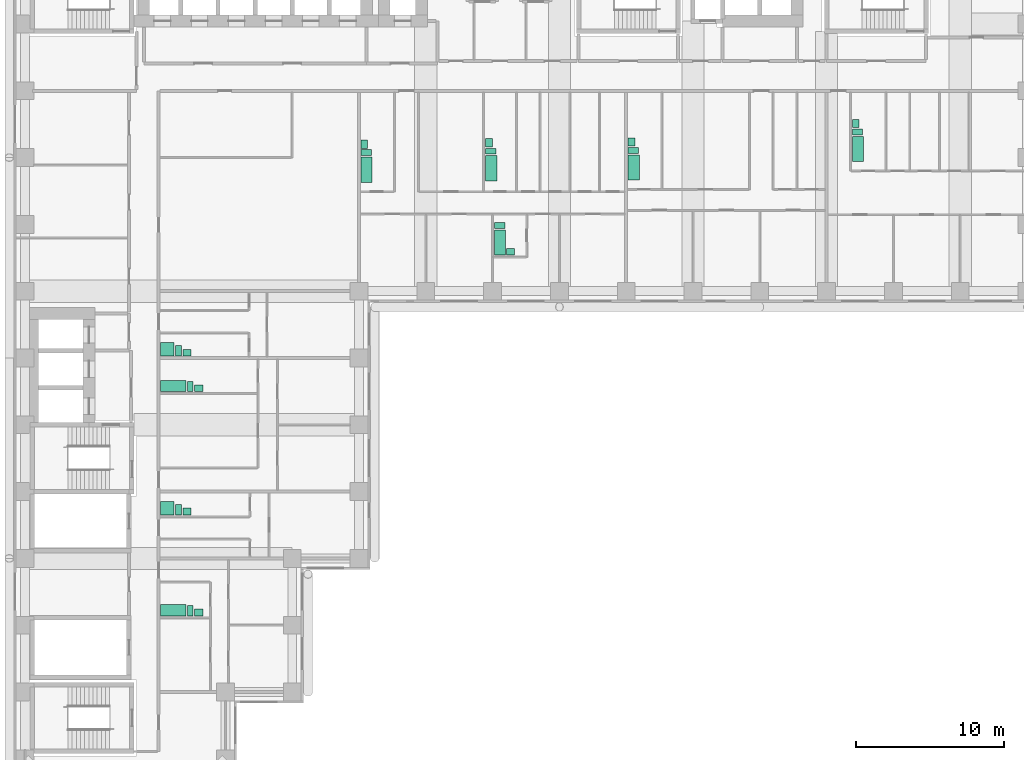
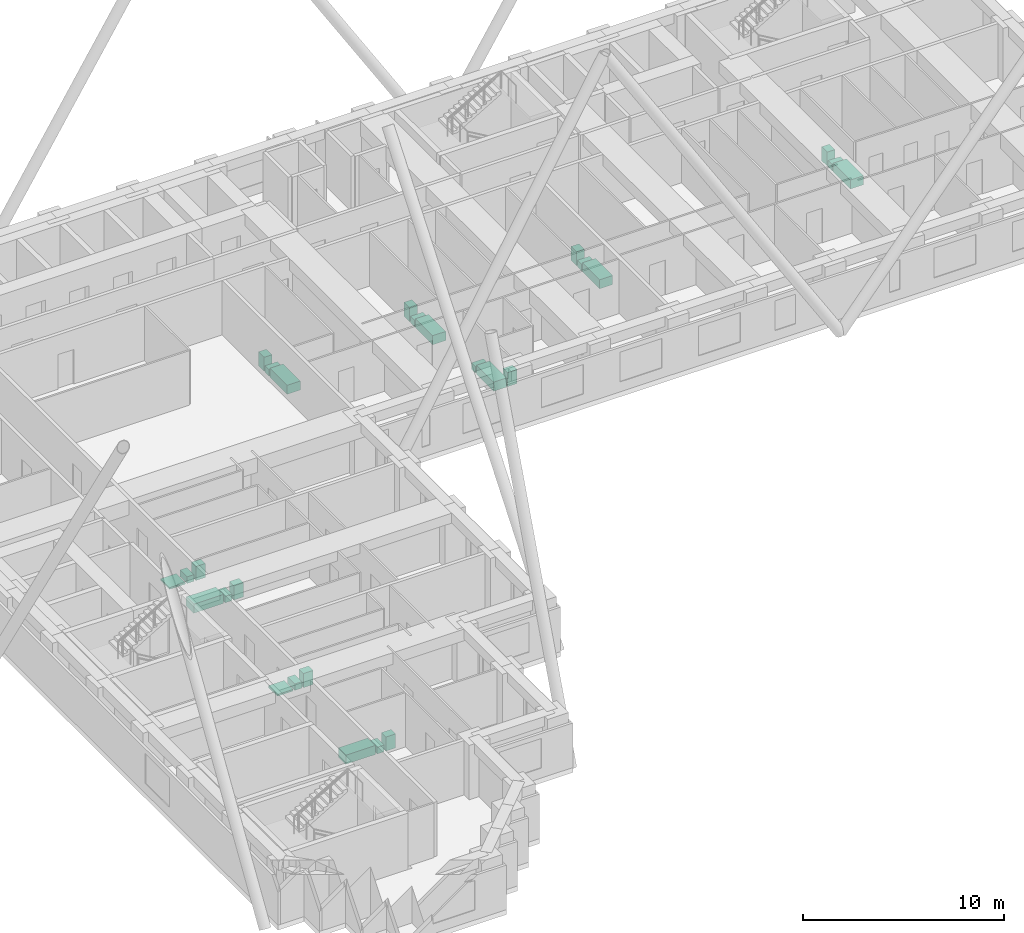
# One storey, part 13 of 13: 27 sanitary terminals.
"""IFC4 building model written with IfcOpenShell, lengths in metres."""

from ifc_helpers import new_model, si_unit, direction, frame, origin, origin_2d, place, context, subcontext, project, spatial, rectangle, extrude, material, type_object, element, save


model = new_model("IFC4")

# Units and contexts
model_context = context("Model", 3, precision=1e-05, world=origin(), true_north=direction((0.0, 1.0)))
body_context = subcontext(model_context, "Body", "Model", "MODEL_VIEW")
ifc_project = project(units=[si_unit("LENGTHUNIT", "METRE"), si_unit("AREAUNIT", "SQUARE_METRE"), si_unit("VOLUMEUNIT", "CUBIC_METRE"), si_unit("PLANEANGLEUNIT", "RADIAN"), si_unit("MASSUNIT", "GRAM", prefix="KILO")], contexts=[model_context])

# Site, building, storey
site_placement = place(None, origin())
site = spatial("IfcSite", under=ifc_project, at=site_placement, CompositionType="ELEMENT")
building_placement = place(site_placement, origin())
building = spatial("IfcBuilding", under=site, at=building_placement, Name="Firuza Court", CompositionType="ELEMENT")
storey_placement = place(building_placement, frame((0.0, 0.0, 50.60009765625)))
storey = spatial("IfcBuildingStorey", under=building, at=storey_placement, Name="L11", CompositionType="ELEMENT", Elevation=50.60009765625)

# Sanitary terminals
ifc_material_1 = material(Name="Vitreous china", Category="ceramic")
sanitary_terminal_type_1 = type_object("IfcSanitaryTerminalType", Name="Fixture Bath", PredefinedType="BATH", material=ifc_material_1)
for number, where, z_axis, x_axis, name in (
    (1, (23.0048828125, 44.179931640625, 0.0), (0.0, 0.0, 1.0), (1.0, 0.0, 0.0), "Bath"),
    (2, (31.405029296875, 44.280029296875, 0.0), (0.0, 0.0, 1.0), (1.0, 0.0, 0.0), "Bath"),
    (3, (32.0048828125, 39.280029296875, 0.0), (0.0, 0.0, 1.0), (1.0, 0.0, 0.0), "Bath"),
    (4, (41.0048828125, 44.330078125, 0.0), (0.0, 0.0, 1.0), (1.0, 0.0, 0.0), "Bath"),
    (5, (56.10498046875, 45.580078125, 0.0), (0.0, 0.0, 1.0), (1.0, 0.0, 0.0), "Bath"),
):
    element("IfcSanitaryTerminal", number, at=place(storey_placement, frame(where, z_axis=z_axis, x_axis=x_axis)), inside=storey, type_object=sanitary_terminal_type_1, Name=name, PredefinedType="BATH", context=body_context, shape_type="SweptSolid", body=[
        extrude(rectangle(XDim=0.75, YDim=1.699951171875, at=origin_2d()), origin(), (0.0, 0.0, 1.0), 0.550048828125),
    ])
for number, where, z_axis, x_axis, name in (
    (6, (9.97998046875, 29.60498046875, 0.0), (0.0, 0.0, 1.0), (1.0, 0.0, 0.0), "Bath"),
    (7, (9.97998046875, 14.5048828125, 0.0), (0.0, 0.0, 1.0), (1.0, 0.0, 0.0), "Bath"),
):
    element("IfcSanitaryTerminal", number, at=place(storey_placement, frame(where, z_axis=z_axis, x_axis=x_axis)), inside=storey, type_object=sanitary_terminal_type_1, Name=name, PredefinedType="BATH", context=body_context, shape_type="SweptSolid", body=[
        extrude(rectangle(XDim=1.699951171875, YDim=0.75, at=origin_2d()), origin(), (0.0, 0.0, 1.0), 0.550048828125),
    ])
ifc_material_2 = material(Name="Vitreous china", Category="ceramic")
sanitary_terminal_type_2 = type_object("IfcSanitaryTerminalType", Name="Fixture Shower tray", PredefinedType="SHOWER", material=ifc_material_2)
for number, where, z_axis, x_axis, name in (
    (8, (9.580078125, 32.080078125, -0.000244140625), (0.0, 0.0, 1.0), (1.0, 0.0, 0.0), "Shower tray"),
    (9, (9.580078125, 21.3798828125, -0.000244140625), (0.0, 0.0, 1.0), (1.0, 0.0, 0.0), "Shower tray"),
):
    element("IfcSanitaryTerminal", number, at=place(storey_placement, frame(where, z_axis=z_axis, x_axis=x_axis)), inside=storey, type_object=sanitary_terminal_type_2, Name=name, PredefinedType="SHOWER", context=body_context, shape_type="SweptSolid", body=[
        extrude(rectangle(XDim=0.89990234375, YDim=0.89990234375, at=origin_2d()), origin(), (0.0, 0.0, 1.0), 0.10009765625),
    ])
ifc_material_3 = material(Name="Vitreous china", Category="ceramic")
sanitary_terminal_type_3 = type_object("IfcSanitaryTerminalType", Name="Fixture WC pan", PredefinedType="TOILETPAN", material=ifc_material_3)
for number, where, z_axis, x_axis, name in (
    (10, (22.97998046875, 45.330078125, 0.0), (0.0, 0.0, 1.0), (1.0, 0.0, 0.0), "WC pan"),
    (11, (31.3798828125, 45.429931640625, 0.0), (0.0, 0.0, 1.0), (1.0, 0.0, 0.0), "WC pan"),
    (12, (31.97998046875, 40.429931640625, 0.0), (0.0, 0.0, 1.0), (1.0, 0.0, 0.0), "WC pan"),
    (13, (40.97998046875, 45.47998046875, 0.0), (0.0, 0.0, 1.0), (1.0, 0.0, 0.0), "WC pan"),
    (14, (56.080078125, 46.72998046875, 0.0), (0.0, 0.0, 1.0), (1.0, 0.0, 0.0), "WC pan"),
):
    element("IfcSanitaryTerminal", number, at=place(storey_placement, frame(where, z_axis=z_axis, x_axis=x_axis)), inside=storey, type_object=sanitary_terminal_type_3, Name=name, PredefinedType="TOILETPAN", context=body_context, shape_type="SweptSolid", body=[
        extrude(rectangle(XDim=0.699951171875, YDim=0.39990234375, at=origin_2d()), origin(), (0.0, 0.0, 1.0), 0.39990234375),
    ])
for number, where, z_axis, x_axis, name in (
    (15, (10.330078125, 31.97998046875, 0.0), (0.0, 0.0, 1.0), (1.0, 0.0, 0.0), "WC pan"),
    (16, (11.1298828125, 29.580078125, 0.0), (0.0, 0.0, 1.0), (1.0, 0.0, 0.0), "WC pan"),
    (17, (10.330078125, 21.280029296875, 0.0), (0.0, 0.0, 1.0), (1.0, 0.0, 0.0), "WC pan"),
    (18, (11.1298828125, 14.47998046875, 0.0), (0.0, 0.0, 1.0), (1.0, 0.0, 0.0), "WC pan"),
):
    element("IfcSanitaryTerminal", number, at=place(storey_placement, frame(where, z_axis=z_axis, x_axis=x_axis)), inside=storey, type_object=sanitary_terminal_type_3, Name=name, PredefinedType="TOILETPAN", context=body_context, shape_type="SweptSolid", body=[
        extrude(rectangle(XDim=0.39990234375, YDim=0.699951171875, at=origin_2d()), origin(), (0.0, 0.0, 1.0), 0.39990234375),
    ])
ifc_material_4 = material(Name="Vitreous china", Category="ceramic")
sanitary_terminal_type_4 = type_object("IfcSanitaryTerminalType", Name="Fixture Washbasin", PredefinedType="WASHHANDBASIN", material=ifc_material_4)
for number, where, z_axis, x_axis, name in (
    (19, (22.85498046875, 45.905029296875, -0.000244140625), (0.0, 0.0, 1.0), (1.0, 0.0, 0.0), "Washbasin"),
    (20, (31.2548828125, 46.0048828125, -0.000244140625), (0.0, 0.0, 1.0), (1.0, 0.0, 0.0), "Washbasin"),
):
    element("IfcSanitaryTerminal", number, at=place(storey_placement, frame(where, z_axis=z_axis, x_axis=x_axis)), inside=storey, type_object=sanitary_terminal_type_4, Name=name, PredefinedType="WASHHANDBASIN", context=body_context, shape_type="SweptSolid", body=[
        extrude(rectangle(XDim=0.449951171875, YDim=0.550048828125, at=origin_2d()), origin(), (0.0, 0.0, 1.0), 0.85009765625),
    ])
sanitary_terminal_placement = place(storey_placement, frame((32.705078125, 38.655029296875, -0.000244140625), z_axis=(0.0, 0.0, 1.0), x_axis=(1.0, 0.0, 0.0)))
element("IfcSanitaryTerminal", 21, at=sanitary_terminal_placement, inside=storey, type_object=sanitary_terminal_type_4, Name="Washbasin", PredefinedType="WASHHANDBASIN", context=body_context, shape_type="SweptSolid", body=[
    extrude(rectangle(XDim=0.550048828125, YDim=0.449951171875, at=origin_2d()), origin(), (0.0, 0.0, 1.0), 0.85009765625),
])
for number, where, z_axis, x_axis, name in (
    (22, (40.85498046875, 46.054931640625, -0.000244140625), (0.0, 0.0, 1.0), (1.0, 0.0, 0.0), "Washbasin"),
    (23, (55.955078125, 47.304931640625, -0.000244140625), (0.0, 0.0, 1.0), (1.0, 0.0, 0.0), "Washbasin"),
):
    element("IfcSanitaryTerminal", number, at=place(storey_placement, frame(where, z_axis=z_axis, x_axis=x_axis)), inside=storey, type_object=sanitary_terminal_type_4, Name=name, PredefinedType="WASHHANDBASIN", context=body_context, shape_type="SweptSolid", body=[
        extrude(rectangle(XDim=0.449951171875, YDim=0.550048828125, at=origin_2d()), origin(), (0.0, 0.0, 1.0), 0.85009765625),
    ])
for number, where, z_axis, x_axis, name in (
    (24, (10.905029296875, 31.85498046875, -0.000244140625), (0.0, 0.0, 1.0), (1.0, 0.0, 0.0), "Washbasin"),
    (25, (11.705078125, 29.455078125, -0.000244140625), (0.0, 0.0, 1.0), (1.0, 0.0, 0.0), "Washbasin"),
    (26, (10.905029296875, 21.155029296875, -0.000244140625), (0.0, 0.0, 1.0), (1.0, 0.0, 0.0), "Washbasin"),
    (27, (11.705078125, 14.35498046875, -0.000244140625), (0.0, 0.0, 1.0), (1.0, 0.0, 0.0), "Washbasin"),
):
    element("IfcSanitaryTerminal", number, at=place(storey_placement, frame(where, z_axis=z_axis, x_axis=x_axis)), inside=storey, type_object=sanitary_terminal_type_4, Name=name, PredefinedType="WASHHANDBASIN", context=body_context, shape_type="SweptSolid", body=[
        extrude(rectangle(XDim=0.550048828125, YDim=0.449951171875, at=origin_2d()), origin(), (0.0, 0.0, 1.0), 0.85009765625),
    ])

save(model, "model.ifc")
